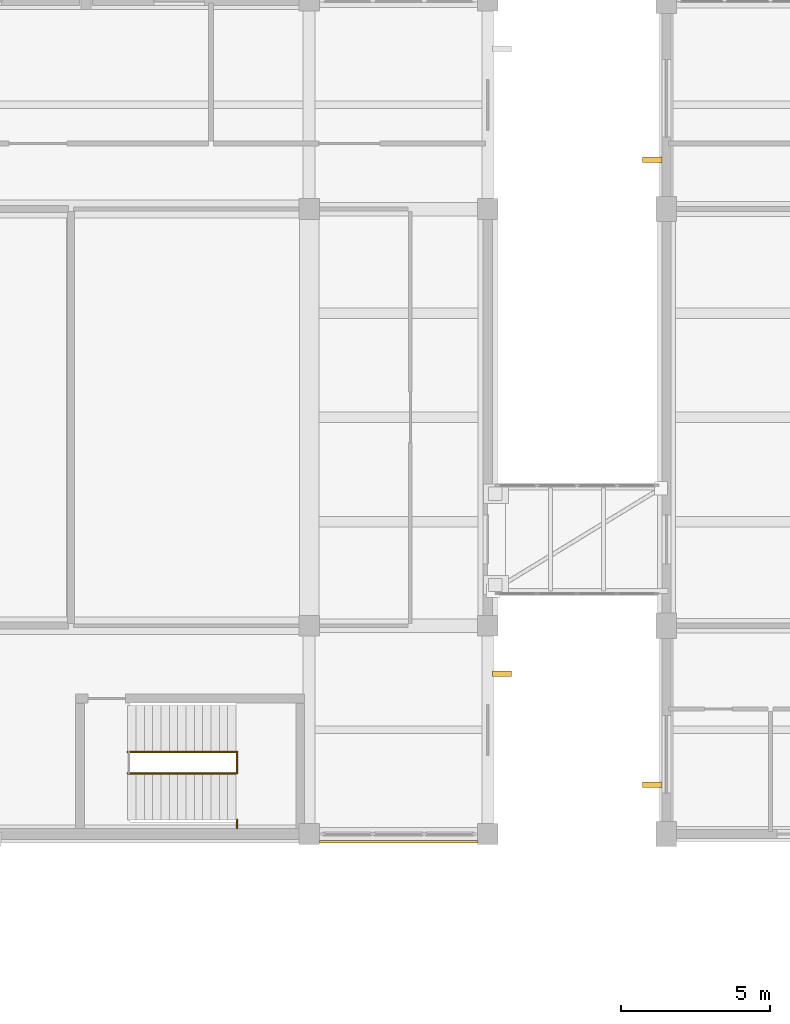
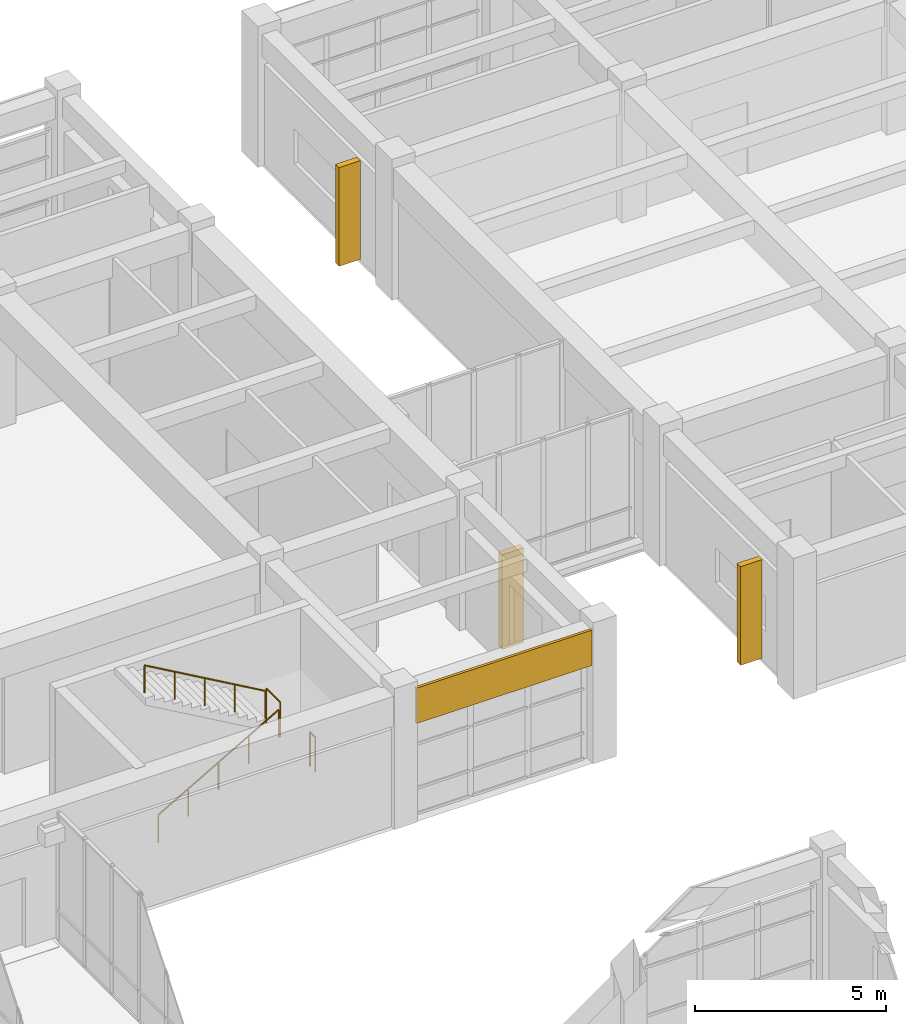
# One storey, part 63 of 70: 4 railings, 3 shading devices, 1 covering.
"""IFC4 building model written with IfcOpenShell, lengths in metres."""

import ifcopenshell
import ifcopenshell.guid

model = None  # the IFC model being written
_history = None  # IfcOwnerHistory: only IFC2X3 demands one
_inside = {}  # id of a spatial element -> (the spatial element, [elements in it])
_under = {}  # id of a project, library or spatial element -> (it, [spatial elements below it])
_declared = {}  # id of a project -> (the project, [libraries it declares])
_typed = {}  # id of a type object -> (the type object, [elements of that type])
_made_of = {}  # id of a material, layer set ... -> (it, [elements and type objects made of it])


def new_model(schema):
    """Start an empty IFC model of exactly this schema.

    Asked for "IFC4X3", IfcOpenShell would pick the latest addendum, in which some entities
    have other attributes; the version numbers below select the first issue.
    IFC2X3 requires an IfcOwnerHistory on every rooted entity: one is made here for all.
    """
    global model, _history
    if schema == "IFC4X3":
        model = ifcopenshell.file(schema_version=(4, 3, 0, 0))
    else:
        model = ifcopenshell.file(schema=schema)
    _inside.clear()
    _under.clear()
    _declared.clear()
    _typed.clear()
    _made_of.clear()
    _history = None
    if model.schema == "IFC2X3":
        org = make("IfcOrganization", Name="unknown")
        user = make(
            "IfcPersonAndOrganization",
            ThePerson=make("IfcPerson", FamilyName="unknown"),
            TheOrganization=org,
        )
        app = make(
            "IfcApplication",
            ApplicationDeveloper=org,
            Version="unknown",
            ApplicationFullName="unknown",
            ApplicationIdentifier="unknown",
        )
        _history = make(
            "IfcOwnerHistory",
            OwningUser=user,
            OwningApplication=app,
            ChangeAction="ADDED",
            CreationDate=0,
        )
    return model


def make(cls, **values):
    """One entity of the class cls with the attributes given. An attribute that is None is left unset."""
    return model.create_entity(
        cls, **{name: value for name, value in values.items() if value is not None}
    )


def rooted(cls, **values):
    """An entity with a GlobalId (a new one), such as an element, a storey or a relation."""
    return make(cls, GlobalId=ifcopenshell.guid.new(), OwnerHistory=_history, **values)


def si_unit(unit_type, name, prefix=None):
    """IfcSIUnit, for example si_unit("LENGTHUNIT", "METRE", prefix="MILLI")."""
    return make("IfcSIUnit", UnitType=unit_type, Prefix=prefix, Name=name)


def assignment(units):
    """IfcUnitAssignment: the units of a project."""
    return None if units is None else make("IfcUnitAssignment", Units=units)


def point(xyz):
    """IfcCartesianPoint."""
    return None if xyz is None else make("IfcCartesianPoint", Coordinates=xyz)


def direction(xyz):
    """IfcDirection."""
    return None if xyz is None else make("IfcDirection", DirectionRatios=xyz)


def frame(location, z_axis=None, x_axis=None):
    """IfcAxis2Placement3D, a coordinate frame: its origin and axes. An axis left out is left unset."""
    return make(
        "IfcAxis2Placement3D",
        Location=point(location),
        Axis=direction(z_axis),
        RefDirection=direction(x_axis),
    )


def frame_2d(location, x_axis=None):
    """IfcAxis2Placement2D, a coordinate frame in the plane: its origin and x axis."""
    return make(
        "IfcAxis2Placement2D", Location=point(location), RefDirection=direction(x_axis)
    )


def origin():
    """The frame at (0, 0, 0) with its axes left unset."""
    return frame((0.0, 0.0, 0.0))


def origin_2d():
    """The frame at (0, 0) in the plane with its x axis left unset."""
    return frame_2d((0.0, 0.0))


def place(relative_to, where):
    """IfcLocalPlacement: puts the frame where relative to a parent placement (None: the world)."""
    return make(
        "IfcLocalPlacement", PlacementRelTo=relative_to, RelativePlacement=where
    )


def context(
    kind, dimensions, precision=None, world=None, true_north=None, identifier=None
):
    """IfcGeometricRepresentationContext, for example the 3D "Model" context."""
    return make(
        "IfcGeometricRepresentationContext",
        ContextIdentifier=identifier,
        ContextType=kind,
        CoordinateSpaceDimension=dimensions,
        Precision=precision,
        WorldCoordinateSystem=world,
        TrueNorth=true_north,
    )


def subcontext(parent, identifier, kind, view, scale=None):
    """IfcGeometricRepresentationSubContext, for example "Body" below "Model"."""
    return make(
        "IfcGeometricRepresentationSubContext",
        ContextIdentifier=identifier,
        ContextType=kind,
        ParentContext=parent,
        TargetScale=scale,
        TargetView=view,
    )


def project(units=None, contexts=None):
    """IfcProject with its units and contexts."""
    return rooted(
        "IfcProject",
        Name="project",
        RepresentationContexts=contexts,
        UnitsInContext=assignment(units),
    )


def spatial(cls, under=None, at=None, **own):
    """A site, building, storey or space (cls), placed at a placement, below another one or the project."""
    s = rooted(cls, ObjectPlacement=at, **own)
    if under is not None:
        _under.setdefault(under.id(), (under, []))[1].append(s)
    return s


def profile(cls, at=None, kind="AREA", **sizes):
    """A parametric profile (cls). Its sizes go by their IFC names, for example OverallWidth=200.0."""
    return make(cls, ProfileType=kind, Position=at, **sizes)


def rectangle(**sizes):
    """IfcRectangleProfileDef."""
    return profile("IfcRectangleProfileDef", **sizes)


def circle(**sizes):
    """IfcCircleProfileDef."""
    return profile("IfcCircleProfileDef", **sizes)


def extrude(swept, where, along, depth):
    """IfcExtrudedAreaSolid: the profile swept, set in the frame where, extruded along a direction by depth."""
    return make(
        "IfcExtrudedAreaSolid",
        SweptArea=swept,
        Position=where,
        ExtrudedDirection=direction(along),
        Depth=depth,
    )


def shape(context_of_items, identifier, shape_type, items):
    """IfcShapeRepresentation: the items that make up one representation, for example the "Body"."""
    return make(
        "IfcShapeRepresentation",
        ContextOfItems=context_of_items,
        RepresentationIdentifier=identifier,
        RepresentationType=shape_type,
        Items=items,
    )


def material(Name=None, Category=None):
    """IfcMaterial."""
    return make("IfcMaterial", Name=Name, Category=Category)


def layer(
    of_material, thickness, ventilated=None, Name=None, Category=None, Priority=None
):
    """IfcMaterialLayer: one layer of a wall or slab, of a material (None: an air gap)."""
    return make(
        "IfcMaterialLayer",
        Material=of_material,
        LayerThickness=thickness,
        IsVentilated=ventilated,
        Name=Name,
        Category=Category,
        Priority=Priority,
    )


def layer_set(layers, Name=None):
    """IfcMaterialLayerSet."""
    return make("IfcMaterialLayerSet", MaterialLayers=layers, LayerSetName=Name)


def made_of(thing, what):
    """Note that an element or type object is made of a material, layer set ...; save() writes the relation."""
    if what is not None:
        _made_of.setdefault(what.id(), (what, []))[1].append(thing)
    return thing


def type_object(cls, material=None, **own):
    """A type object (cls), such as IfcWallType, which elements share."""
    return made_of(rooted(cls, **own), material)


def element(
    cls,
    number,
    at=None,
    inside=None,
    cuts=None,
    type_object=None,
    material=None,
    context=None,
    identifier="Body",
    shape_type=None,
    held_by="IfcProductDefinitionShape",
    body=None,
    shapes=None,
    **own,
):
    """One element of the class cls, such as IfcWall. Its Tag is "e" and its number.

    at: its placement. inside: the storey or other place that contains it. cuts: it is an
    opening in that element (IfcRelVoidsElement). A single representation is given by context,
    identifier, shape_type and body (its items); several are given by shapes. held_by: the class
    of the entity that holds the representations. save() writes the other relations.
    """
    e = rooted(cls, Tag="e%d" % number, ObjectPlacement=at, **own)
    if body is not None:
        shapes = [shape(context, identifier, shape_type, body)]
    if shapes is not None:
        e.Representation = make(held_by, Representations=shapes)
    if inside is not None:
        _inside.setdefault(inside.id(), (inside, []))[1].append(e)
    if cuts is not None:
        rooted(
            "IfcRelVoidsElement", RelatingBuildingElement=cuts, RelatedOpeningElement=e
        )
    if type_object is not None:
        _typed.setdefault(type_object.id(), (type_object, []))[1].append(e)
    return made_of(e, material)


def aggregate(whole, parts):
    """IfcRelAggregates: a whole, such as a stair, and the parts it consists of."""
    return rooted("IfcRelAggregates", RelatingObject=whole, RelatedObjects=parts)


def save(model, path):
    """Write the relations noted so far, then the file.

    IfcRelAggregates (storeys below a building ...), IfcRelContainedInSpatialStructure (elements
    in a storey), IfcRelDefinesByType, IfcRelAssociatesMaterial and IfcRelDeclares: one each for
    every whole, place, type object, material and project.
    """
    for whole, parts in _under.values():
        aggregate(whole, parts)
    for where, things in _inside.values():
        rooted(
            "IfcRelContainedInSpatialStructure",
            RelatedElements=things,
            RelatingStructure=where,
        )
    for kind, things in _typed.values():
        rooted("IfcRelDefinesByType", RelatedObjects=things, RelatingType=kind)
    for what, things in _made_of.values():
        rooted("IfcRelAssociatesMaterial", RelatedObjects=things, RelatingMaterial=what)
    for by, libraries in _declared.values():
        rooted("IfcRelDeclares", RelatingContext=by, RelatedDefinitions=libraries)
    model.write(path)


model = new_model("IFC4")

# Units and contexts
model_context = context("Model", 3, precision=1e-05, world=origin(), true_north=direction((0.0, 1.0)))
body_context = subcontext(model_context, "Body", "Model", "MODEL_VIEW")
ifc_project = project(units=[si_unit("LENGTHUNIT", "METRE"), si_unit("AREAUNIT", "SQUARE_METRE"), si_unit("VOLUMEUNIT", "CUBIC_METRE"), si_unit("PLANEANGLEUNIT", "RADIAN"), si_unit("MASSUNIT", "GRAM", prefix="KILO")], contexts=[model_context])

# Site, building, storey
site_placement = place(None, origin())
site = spatial("IfcSite", under=ifc_project, at=site_placement, CompositionType="ELEMENT")
building_placement = place(site_placement, origin())
building = spatial("IfcBuilding", under=site, at=building_placement, Name="Naurynzar Civic Courthouse", CompositionType="ELEMENT")
storey_placement = place(building_placement, frame((0.0, 0.0, 5.39990234375)))
storey = spatial("IfcBuildingStorey", under=building, at=storey_placement, Name="L02", CompositionType="ELEMENT", Elevation=5.39990234375)

# Covering
ifc_material_1 = material(Name="Precast concrete C40/50", Category="concrete")
ifc_layer = layer(ifc_material_1, 0.080078125)
ifc_layer_set = layer_set([ifc_layer], Name="COV-CLAD-PRECAST-80")
covering_type = type_object("IfcCoveringType", Name="COV-CLAD-PRECAST-80", PredefinedType="CLADDING", material=ifc_layer_set)
covering_placement = place(storey_placement, frame((53.0, 43.7451171875, 3.110107421875), z_axis=(0.0, 0.0, 1.0), x_axis=(-1.0, 0.0, 0.0)))
element("IfcCovering", 1, at=covering_placement, inside=storey, type_object=covering_type, Name="V1 precast spandrel cladding 5", PredefinedType="CLADDING", context=body_context, shape_type="SweptSolid", body=[
    extrude(rectangle(XDim=5.300048828125, YDim=0.080078125, at=origin_2d()), origin(), (0.0, 0.0, 1.0), 1.1298828125),
])

# Railings
ifc_material_2 = material(Name="Brushed Stainless Steel 304", Category="steel")
railing_type_1 = type_object("IfcRailingType", Name="RAIL-BAL-1100", PredefinedType="BALUSTRADE", material=ifc_material_2)
railing_1_placement = place(storey_placement, frame((47.580078125, 46.0400390625, 2.25)))
element("IfcRailing", 2, at=railing_1_placement, inside=storey, type_object=railing_type_1, Name="Stair ST-V1B-L02 half-landing well guard", PredefinedType="BALUSTRADE", context=body_context, shape_type="SweptSolid", body=[
    extrude(circle(Radius=0.02392578125, at=origin_2d()), frame((0.0, 0.0, 1.09619140625), z_axis=(0.0, 1.0, 0.0), x_axis=(-1.0, 0.0, 0.0)), (0.0, 0.0, 1.0), 0.719970703125),
    extrude(circle(Radius=0.02099609375, at=origin_2d()), origin(), (0.0, 0.0, 1.0), 1.072021484375),
    extrude(circle(Radius=0.02099609375, at=origin_2d()), frame((0.0, 0.719970703125, 0.0)), (0.0, 0.0, 1.0), 1.072021484375),
])
railing_2_placement = place(storey_placement, frame((47.580078125, 44.195068359375, 2.25)))
element("IfcRailing", 3, at=railing_2_placement, inside=storey, type_object=railing_type_1, Name="Stair ST-V1B-L02 half-landing south slot guard", PredefinedType="BALUSTRADE", context=body_context, shape_type="SweptSolid", body=[
    extrude(circle(Radius=0.02392578125, at=origin_2d()), frame((0.0, 0.0, 1.09619140625), z_axis=(0.0, 1.0, 0.0), x_axis=(-1.0, 0.0, 0.0)), (0.0, 0.0, 1.0), 0.284912109375),
    extrude(circle(Radius=0.02099609375, at=origin_2d()), origin(), (0.0, 0.0, 1.0), 1.072021484375),
    extrude(circle(Radius=0.02099609375, at=origin_2d()), frame((0.0, 0.284912109375, 0.0)), (0.0, 0.0, 1.0), 1.072021484375),
])
ifc_material_3 = material(Name="Brushed Stainless Steel 304", Category="steel")
railing_type_2 = type_object("IfcRailingType", Name="RAIL-HR-900", PredefinedType="HANDRAIL", material=ifc_material_3)
railing_3_placement = place(storey_placement, frame((43.89990234375, 46.0400390625, 0.160888671875)))
element("IfcRailing", 4, at=railing_3_placement, inside=storey, type_object=railing_type_2, Name="Stair ST-V1B-L02 flight 1 handrail", PredefinedType="HANDRAIL", context=body_context, shape_type="SweptSolid", body=[
    extrude(circle(Radius=0.02392578125, at=origin_2d()), frame((0.0, 0.0, 0.8759765625), z_axis=(0.867314486057, 0.0, 0.497760567216), x_axis=(0.0, 1.0, 0.0)), (0.0, 0.0, 1.0), 4.197021484375),
    extrude(circle(Radius=0.02099609375, at=origin_2d()), origin(), (0.0, 0.0, 1.0), 0.851806640625),
    extrude(circle(Radius=0.02099609375, at=origin_2d()), frame((0.91015625, 0.0, 0.522216796875)), (0.0, 0.0, 1.0), 0.851806640625),
    extrude(circle(Radius=0.02099609375, at=origin_2d()), frame((1.820068359375, 0.0, 1.04443359375)), (0.0, 0.0, 1.0), 0.851806640625),
    extrude(circle(Radius=0.02099609375, at=origin_2d()), frame((2.72998046875, 0.0, 1.56689453125)), (0.0, 0.0, 1.0), 0.851806640625),
    extrude(circle(Radius=0.02099609375, at=origin_2d()), frame((3.64013671875, 0.0, 2.089111328125)), (0.0, 0.0, 1.0), 0.851806640625),
])
railing_4_placement = place(storey_placement, frame((47.5400390625, 46.760009765625, 2.410888671875)))
element("IfcRailing", 5, at=railing_4_placement, inside=storey, type_object=railing_type_2, Name="Stair ST-V1B-L02 flight 2 handrail", PredefinedType="HANDRAIL", context=body_context, shape_type="SweptSolid", body=[
    extrude(circle(Radius=0.02392578125, at=origin_2d()), frame((0.0, 0.0, 0.8759765625), z_axis=(-0.867314486057, 0.0, 0.497760567216), x_axis=(0.0, -1.0, 0.0)), (0.0, 0.0, 1.0), 4.197021484375),
    extrude(circle(Radius=0.02099609375, at=origin_2d()), origin(), (0.0, 0.0, 1.0), 0.851806640625),
    extrude(circle(Radius=0.02099609375, at=origin_2d()), frame((-0.91015625, 0.0, 0.522216796875)), (0.0, 0.0, 1.0), 0.851806640625),
    extrude(circle(Radius=0.02099609375, at=origin_2d()), frame((-1.820068359375, 0.0, 1.04443359375)), (0.0, 0.0, 1.0), 0.851806640625),
    extrude(circle(Radius=0.02099609375, at=origin_2d()), frame((-2.72998046875, 0.0, 1.56689453125)), (0.0, 0.0, 1.0), 0.851806640625),
    extrude(circle(Radius=0.02099609375, at=origin_2d()), frame((-3.64013671875, 0.0, 2.089111328125)), (0.0, 0.0, 1.0), 0.851806640625),
])

# Shading devices
ifc_material_4 = material(Name="Precast concrete C40/50", Category="concrete")
shading_device_type = type_object("IfcShadingDeviceType", Name="SHD-FIN-V650", PredefinedType="JALOUSIE", material=ifc_material_4)
shading_device_placement = place(storey_placement, frame((56.47998046875, 49.389892578125, 0.0400390625), z_axis=(0.0, 0.0, 1.0), x_axis=(0.0, -1.0, 0.0)))
element("IfcShadingDevice", 6, at=shading_device_placement, inside=storey, type_object=shading_device_type, Name="V1 vertical brise-soleil fin 2", PredefinedType="JALOUSIE", context=body_context, shape_type="SweptSolid", body=[
    extrude(rectangle(XDim=0.179931640625, YDim=0.64990234375, at=origin_2d()), origin(), (0.0, 0.0, 1.0), 3.030029296875),
])
for number, where, z_axis, x_axis, name in (
    (7, (61.530029296875, 45.655029296875, 0.0400390625), (0.0, 0.0, 1.0), (0.0, 1.0, 0.0), "V2 vertical brise-soleil fin 7"),
    (8, (61.530029296875, 66.655029296875, 0.0400390625), (0.0, 0.0, 1.0), (0.0, 1.0, 0.0), "V2 vertical brise-soleil fin 8"),
):
    element("IfcShadingDevice", number, at=place(storey_placement, frame(where, z_axis=z_axis, x_axis=x_axis)), inside=storey, type_object=shading_device_type, Name=name, PredefinedType="JALOUSIE", context=body_context, shape_type="SweptSolid", body=[
        extrude(rectangle(XDim=0.179931640625, YDim=0.64990234375, at=origin_2d()), origin(), (0.0, 0.0, 1.0), 3.14990234375),
    ])

save(model, "model.ifc")
